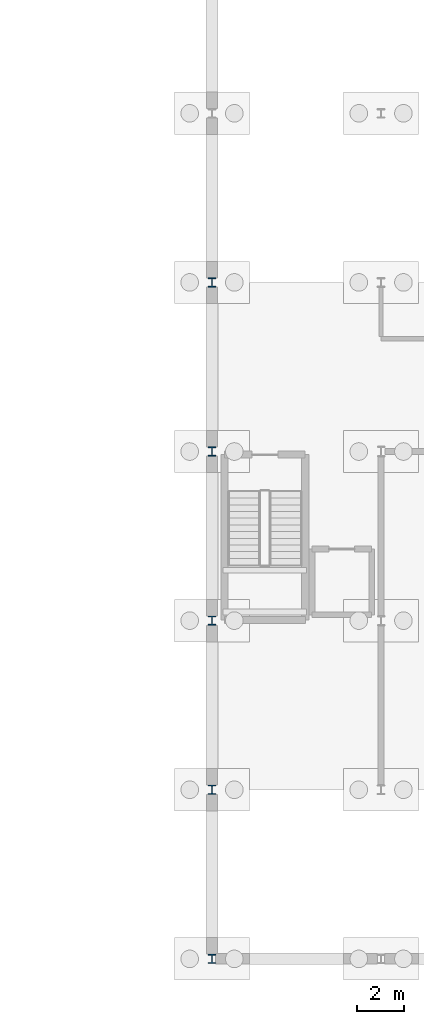
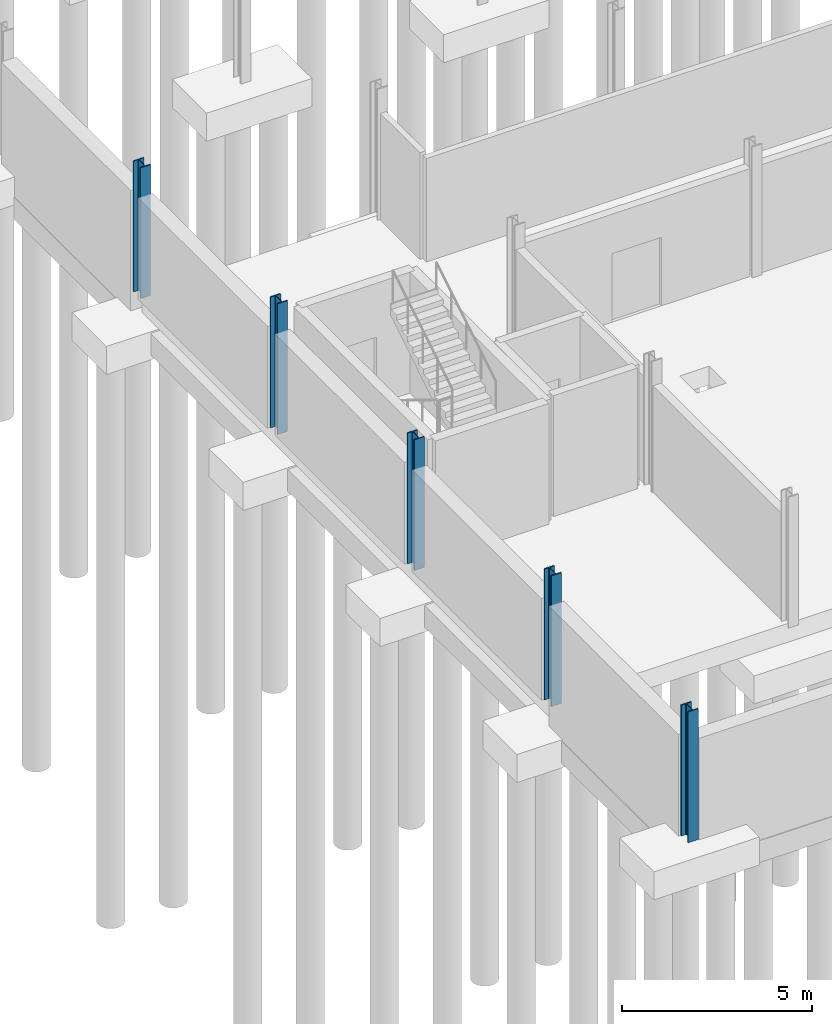
# One storey, part 12 of 50: 5 columns.
"""IFC4 building model written with IfcOpenShell, lengths in metres."""

from ifc_helpers import new_model, si_unit, direction, frame, origin, origin_2d, place, context, subcontext, project, spatial, i_section, extrude, material, material_profile, profile_set, type_object, element, save


model = new_model("IFC4")

# Units and contexts
model_context = context("Model", 3, precision=1e-05, world=origin(), true_north=direction((0.0, 1.0)))
body_context = subcontext(model_context, "Body", "Model", "MODEL_VIEW")
ifc_project = project(units=[si_unit("LENGTHUNIT", "METRE"), si_unit("AREAUNIT", "SQUARE_METRE"), si_unit("VOLUMEUNIT", "CUBIC_METRE"), si_unit("PLANEANGLEUNIT", "RADIAN"), si_unit("MASSUNIT", "GRAM", prefix="KILO")], contexts=[model_context])

# Site, building, storey
site_placement = place(None, origin())
site = spatial("IfcSite", under=ifc_project, at=site_placement, CompositionType="ELEMENT")
building_placement = place(site_placement, origin())
building = spatial("IfcBuilding", under=site, at=building_placement, Name="Narikvali Park Central Library", CompositionType="ELEMENT")
storey_placement = place(building_placement, frame((0.0, 0.0, -4.199951171875)))
storey = spatial("IfcBuildingStorey", under=building, at=storey_placement, Name="B1", CompositionType="ELEMENT", Elevation=-4.199951171875)

# Columns
ifc_material = material(Name="Steel S355", Category="steel")
ifc_material_profile = material_profile(ifc_material, i_section(OverallWidth=0.30810546875, OverallDepth=0.39501953125, WebThickness=0.02099609375, FlangeThickness=0.035888671875, FilletRadius=0.027099609375, at=origin_2d()), Name="HEM 360")
ifc_profile_set = profile_set([ifc_material_profile], Name="Steel S355")
column_type = type_object("IfcColumnType", Name="Steel Column HEM360", PredefinedType="COLUMN", material=ifc_profile_set)
for number, where, z_axis, x_axis, name in (
    (1, (122.39990234375, 0.0, 0.0), (0.0, 0.0, 1.0), (1.0, 0.0, 0.0), "V6 B1 Foundation Column (122.4,0.0)"),
    (2, (122.39990234375, 7.199951171875, 0.0), (0.0, 0.0, 1.0), (1.0, 0.0, 0.0), "V6 B1 Column (122.4,7.2)"),
    (3, (122.39990234375, 14.39990234375, 0.0), (0.0, 0.0, 1.0), (1.0, 0.0, 0.0), "V6 B1 Column (122.4,14.4)"),
    (4, (122.39990234375, 21.60009765625, 0.0), (0.0, 0.0, 1.0), (1.0, 0.0, 0.0), "V6 B1 Column (122.4,21.6)"),
    (5, (122.39990234375, 28.800048828125, 0.0), (0.0, 0.0, 1.0), (1.0, 0.0, 0.0), "V6 B1 Column (122.4,28.8)"),
):
    element("IfcColumn", number, at=place(storey_placement, frame(where, z_axis=z_axis, x_axis=x_axis)), inside=storey, type_object=column_type, Name=name, PredefinedType="COLUMN", context=body_context, shape_type="SweptSolid", body=[
        extrude(i_section(OverallWidth=0.30810546875, OverallDepth=0.39501953125, WebThickness=0.02099609375, FlangeThickness=0.035888671875, FilletRadius=0.027099609375, at=origin_2d()), origin(), (0.0, 0.0, 1.0), 4.199951171875),
    ])

save(model, "model.ifc")
